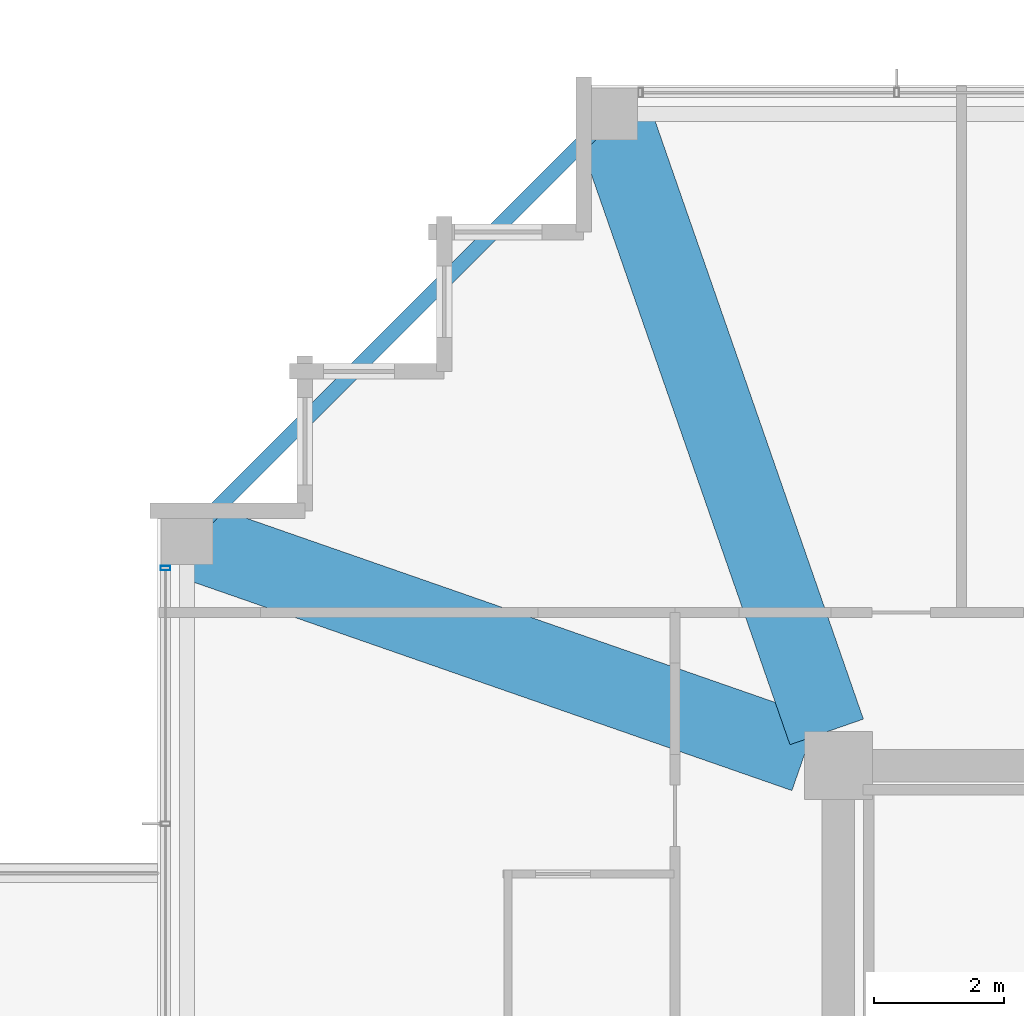
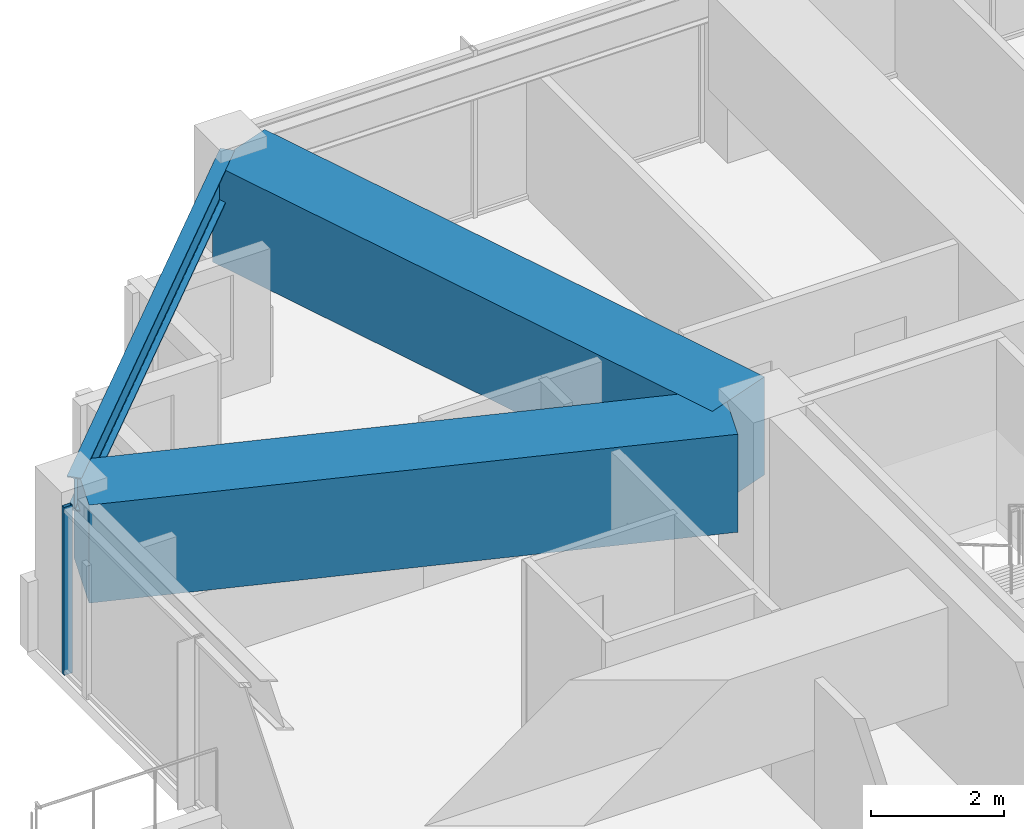
# One storey, part 17 of 35: 3 beams, 1 member, 1 element without a shape of its own.
"""IFC4 building model written with IfcOpenShell, lengths in metres."""

import ifcopenshell
import ifcopenshell.guid

model = None  # the IFC model being written
_history = None  # IfcOwnerHistory: only IFC2X3 demands one
_inside = {}  # id of a spatial element -> (the spatial element, [elements in it])
_under = {}  # id of a project, library or spatial element -> (it, [spatial elements below it])
_declared = {}  # id of a project -> (the project, [libraries it declares])
_typed = {}  # id of a type object -> (the type object, [elements of that type])
_made_of = {}  # id of a material, layer set ... -> (it, [elements and type objects made of it])


def new_model(schema):
    """Start an empty IFC model of exactly this schema.

    Asked for "IFC4X3", IfcOpenShell would pick the latest addendum, in which some entities
    have other attributes; the version numbers below select the first issue.
    IFC2X3 requires an IfcOwnerHistory on every rooted entity: one is made here for all.
    """
    global model, _history
    if schema == "IFC4X3":
        model = ifcopenshell.file(schema_version=(4, 3, 0, 0))
    else:
        model = ifcopenshell.file(schema=schema)
    _inside.clear()
    _under.clear()
    _declared.clear()
    _typed.clear()
    _made_of.clear()
    _history = None
    if model.schema == "IFC2X3":
        org = make("IfcOrganization", Name="unknown")
        user = make(
            "IfcPersonAndOrganization",
            ThePerson=make("IfcPerson", FamilyName="unknown"),
            TheOrganization=org,
        )
        app = make(
            "IfcApplication",
            ApplicationDeveloper=org,
            Version="unknown",
            ApplicationFullName="unknown",
            ApplicationIdentifier="unknown",
        )
        _history = make(
            "IfcOwnerHistory",
            OwningUser=user,
            OwningApplication=app,
            ChangeAction="ADDED",
            CreationDate=0,
        )
    return model


def make(cls, **values):
    """One entity of the class cls with the attributes given. An attribute that is None is left unset."""
    return model.create_entity(
        cls, **{name: value for name, value in values.items() if value is not None}
    )


def rooted(cls, **values):
    """An entity with a GlobalId (a new one), such as an element, a storey or a relation."""
    return make(cls, GlobalId=ifcopenshell.guid.new(), OwnerHistory=_history, **values)


def si_unit(unit_type, name, prefix=None):
    """IfcSIUnit, for example si_unit("LENGTHUNIT", "METRE", prefix="MILLI")."""
    return make("IfcSIUnit", UnitType=unit_type, Prefix=prefix, Name=name)


def assignment(units):
    """IfcUnitAssignment: the units of a project."""
    return None if units is None else make("IfcUnitAssignment", Units=units)


def point(xyz):
    """IfcCartesianPoint."""
    return None if xyz is None else make("IfcCartesianPoint", Coordinates=xyz)


def direction(xyz):
    """IfcDirection."""
    return None if xyz is None else make("IfcDirection", DirectionRatios=xyz)


def frame(location, z_axis=None, x_axis=None):
    """IfcAxis2Placement3D, a coordinate frame: its origin and axes. An axis left out is left unset."""
    return make(
        "IfcAxis2Placement3D",
        Location=point(location),
        Axis=direction(z_axis),
        RefDirection=direction(x_axis),
    )


def frame_2d(location, x_axis=None):
    """IfcAxis2Placement2D, a coordinate frame in the plane: its origin and x axis."""
    return make(
        "IfcAxis2Placement2D", Location=point(location), RefDirection=direction(x_axis)
    )


def origin():
    """The frame at (0, 0, 0) with its axes left unset."""
    return frame((0.0, 0.0, 0.0))


def origin_2d():
    """The frame at (0, 0) in the plane with its x axis left unset."""
    return frame_2d((0.0, 0.0))


def place(relative_to, where):
    """IfcLocalPlacement: puts the frame where relative to a parent placement (None: the world)."""
    return make(
        "IfcLocalPlacement", PlacementRelTo=relative_to, RelativePlacement=where
    )


def context(
    kind, dimensions, precision=None, world=None, true_north=None, identifier=None
):
    """IfcGeometricRepresentationContext, for example the 3D "Model" context."""
    return make(
        "IfcGeometricRepresentationContext",
        ContextIdentifier=identifier,
        ContextType=kind,
        CoordinateSpaceDimension=dimensions,
        Precision=precision,
        WorldCoordinateSystem=world,
        TrueNorth=true_north,
    )


def subcontext(parent, identifier, kind, view, scale=None):
    """IfcGeometricRepresentationSubContext, for example "Body" below "Model"."""
    return make(
        "IfcGeometricRepresentationSubContext",
        ContextIdentifier=identifier,
        ContextType=kind,
        ParentContext=parent,
        TargetScale=scale,
        TargetView=view,
    )


def project(units=None, contexts=None):
    """IfcProject with its units and contexts."""
    return rooted(
        "IfcProject",
        Name="project",
        RepresentationContexts=contexts,
        UnitsInContext=assignment(units),
    )


def spatial(cls, under=None, at=None, **own):
    """A site, building, storey or space (cls), placed at a placement, below another one or the project."""
    s = rooted(cls, ObjectPlacement=at, **own)
    if under is not None:
        _under.setdefault(under.id(), (under, []))[1].append(s)
    return s


def profile(cls, at=None, kind="AREA", **sizes):
    """A parametric profile (cls). Its sizes go by their IFC names, for example OverallWidth=200.0."""
    return make(cls, ProfileType=kind, Position=at, **sizes)


def rectangle(**sizes):
    """IfcRectangleProfileDef."""
    return profile("IfcRectangleProfileDef", **sizes)


def hollow_rectangle(**sizes):
    """IfcRectangleHollowProfileDef."""
    return profile("IfcRectangleHollowProfileDef", **sizes)


def i_section(**sizes):
    """IfcIShapeProfileDef."""
    return profile("IfcIShapeProfileDef", **sizes)


def extrude(swept, where, along, depth):
    """IfcExtrudedAreaSolid: the profile swept, set in the frame where, extruded along a direction by depth."""
    return make(
        "IfcExtrudedAreaSolid",
        SweptArea=swept,
        Position=where,
        ExtrudedDirection=direction(along),
        Depth=depth,
    )


def shape(context_of_items, identifier, shape_type, items):
    """IfcShapeRepresentation: the items that make up one representation, for example the "Body"."""
    return make(
        "IfcShapeRepresentation",
        ContextOfItems=context_of_items,
        RepresentationIdentifier=identifier,
        RepresentationType=shape_type,
        Items=items,
    )


def material(Name=None, Category=None):
    """IfcMaterial."""
    return make("IfcMaterial", Name=Name, Category=Category)


def material_profile(
    of_material, cross_section, Name=None, Category=None, Priority=None
):
    """IfcMaterialProfile: a cross section and its material."""
    return make(
        "IfcMaterialProfile",
        Name=Name,
        Material=of_material,
        Profile=cross_section,
        Priority=Priority,
        Category=Category,
    )


def profile_set(profiles, Name=None, composite=None):
    """IfcMaterialProfileSet."""
    return make(
        "IfcMaterialProfileSet",
        Name=Name,
        MaterialProfiles=profiles,
        CompositeProfile=composite,
    )


def made_of(thing, what):
    """Note that an element or type object is made of a material, layer set ...; save() writes the relation."""
    if what is not None:
        _made_of.setdefault(what.id(), (what, []))[1].append(thing)
    return thing


def type_object(cls, material=None, **own):
    """A type object (cls), such as IfcWallType, which elements share."""
    return made_of(rooted(cls, **own), material)


def element(
    cls,
    number,
    at=None,
    inside=None,
    cuts=None,
    type_object=None,
    material=None,
    context=None,
    identifier="Body",
    shape_type=None,
    held_by="IfcProductDefinitionShape",
    body=None,
    shapes=None,
    **own,
):
    """One element of the class cls, such as IfcWall. Its Tag is "e" and its number.

    at: its placement. inside: the storey or other place that contains it. cuts: it is an
    opening in that element (IfcRelVoidsElement). A single representation is given by context,
    identifier, shape_type and body (its items); several are given by shapes. held_by: the class
    of the entity that holds the representations. save() writes the other relations.
    """
    e = rooted(cls, Tag="e%d" % number, ObjectPlacement=at, **own)
    if body is not None:
        shapes = [shape(context, identifier, shape_type, body)]
    if shapes is not None:
        e.Representation = make(held_by, Representations=shapes)
    if inside is not None:
        _inside.setdefault(inside.id(), (inside, []))[1].append(e)
    if cuts is not None:
        rooted(
            "IfcRelVoidsElement", RelatingBuildingElement=cuts, RelatedOpeningElement=e
        )
    if type_object is not None:
        _typed.setdefault(type_object.id(), (type_object, []))[1].append(e)
    return made_of(e, material)


def aggregate(whole, parts):
    """IfcRelAggregates: a whole, such as a stair, and the parts it consists of."""
    return rooted("IfcRelAggregates", RelatingObject=whole, RelatedObjects=parts)


def save(model, path):
    """Write the relations noted so far, then the file.

    IfcRelAggregates (storeys below a building ...), IfcRelContainedInSpatialStructure (elements
    in a storey), IfcRelDefinesByType, IfcRelAssociatesMaterial and IfcRelDeclares: one each for
    every whole, place, type object, material and project.
    """
    for whole, parts in _under.values():
        aggregate(whole, parts)
    for where, things in _inside.values():
        rooted(
            "IfcRelContainedInSpatialStructure",
            RelatedElements=things,
            RelatingStructure=where,
        )
    for kind, things in _typed.values():
        rooted("IfcRelDefinesByType", RelatedObjects=things, RelatingType=kind)
    for what, things in _made_of.values():
        rooted("IfcRelAssociatesMaterial", RelatedObjects=things, RelatingMaterial=what)
    for by, libraries in _declared.values():
        rooted("IfcRelDeclares", RelatingContext=by, RelatedDefinitions=libraries)
    model.write(path)


model = new_model("IFC4")

# Units and contexts
model_context = context("Model", 3, precision=1e-05, world=origin(), true_north=direction((0.0, 1.0)))
body_context = subcontext(model_context, "Body", "Model", "MODEL_VIEW")
ifc_project = project(units=[si_unit("LENGTHUNIT", "METRE"), si_unit("AREAUNIT", "SQUARE_METRE"), si_unit("VOLUMEUNIT", "CUBIC_METRE"), si_unit("PLANEANGLEUNIT", "RADIAN"), si_unit("MASSUNIT", "GRAM", prefix="KILO")], contexts=[model_context])

# Site, building, storey
site_placement = place(None, origin())
site = spatial("IfcSite", under=ifc_project, at=site_placement, CompositionType="ELEMENT")
building_placement = place(site_placement, origin())
building = spatial("IfcBuilding", under=site, at=building_placement, Name="Kolvaren Belvedere", CompositionType="ELEMENT")
storey_placement = place(building_placement, frame((0.0, 0.0, 203.10009765625)))
storey = spatial("IfcBuildingStorey", under=building, at=storey_placement, Name="L59", CompositionType="ELEMENT", Elevation=203.10009765625)

# Beams
ifc_material_1 = material(Name="Structural steel ASTM A992 Grade 50", Category="steel")
ifc_material_profile_1 = material_profile(ifc_material_1, i_section(OverallWidth=0.22900390625, OverallDepth=0.612060546875, WebThickness=0.011962890625, FlangeThickness=0.01953125, FilletRadius=0.01806640625, at=origin_2d()), Name="W24X84")
ifc_profile_set_1 = profile_set([ifc_material_profile_1], Name="Structural steel ASTM A992 Grade 50")
beam_type_1 = type_object("IfcBeamType", Name="BM-SPAN-W24X84", PredefinedType="SPANDREL", material=ifc_profile_set_1)
beam_placement = place(storey_placement, frame((-13.52734375, 19.82275390625, 2.77392578125), z_axis=(-0.707106781187, -0.707106781187, 0.0), x_axis=(0.707106781187, -0.707106781187, 0.0)))
element("IfcBeam", 1, at=beam_placement, inside=storey, type_object=beam_type_1, Name="L59 Perimeter Spandrel N1-W4", PredefinedType="SPANDREL", context=body_context, shape_type="SweptSolid", body=[
    extrude(i_section(OverallWidth=0.22900390625, OverallDepth=0.612060546875, WebThickness=0.011962890625, FlangeThickness=0.01953125, FilletRadius=0.01806640625, at=origin_2d()), origin(), (0.0, 0.0, 1.0), 8.903076171875),
])
ifc_material_2 = material(Name="Concrete C50/60", Category="concrete")
ifc_material_profile_2 = material_profile(ifc_material_2, rectangle(XDim=1.199951171875, YDim=1.800048828125, at=origin_2d()), Name="RC 1200X1800")
ifc_profile_set_2 = profile_set([ifc_material_profile_2], Name="Concrete C50/60")
beam_type_2 = type_object("IfcBeamType", Name="BM-TG-1800", PredefinedType="BEAM", material=ifc_profile_set_2)
for number, where, z_axis, x_axis, name in (
    (2, (-10.080810546875, 10.41943359375, 2.179931640625), (-0.328898147971, 0.944365399758, 0.0), (-0.944365399758, -0.328898147971, 0.0), "L59 Corner Core-to-Perimeter Girder CC4-N1"),
    (3, (-10.41943359375, 10.080810546875, 2.179931640625), (-0.944365399758, 0.328898147971, 0.0), (-0.328898147971, -0.944365399758, 0.0), "L59 Corner Core-to-Perimeter Girder CC4-W4"),
):
    element("IfcBeam", number, at=place(storey_placement, frame(where, z_axis=z_axis, x_axis=x_axis)), inside=storey, type_object=beam_type_2, Name=name, PredefinedType="BEAM", context=body_context, shape_type="SweptSolid", body=[
        extrude(rectangle(XDim=1.199951171875, YDim=1.800048828125, at=origin_2d()), origin(), (0.0, 0.0, 1.0), 9.931884765625),
    ])

# Curtain wall, member
ifc_material_3 = material(Name="Anodised pale-metal aluminium AA 6063-T6", Category="aluminium")
curtain_wall_type = type_object("IfcCurtainWallType", Name="CW-Z5-HIGH", PredefinedType="NOTDEFINED", material=ifc_material_3)
curtain_wall_placement = place(storey_placement, origin())
curtain_wall = element("IfcCurtainWall", 4, at=curtain_wall_placement, inside=storey, type_object=curtain_wall_type, Name="L59 Unitised Curtain Wall FCW-L59-W2-B2", PredefinedType="NOTDEFINED")
ifc_material_4 = material(Name="Anodised pale-metal aluminium AA 6063-T6", Category="aluminium")
ifc_material_profile_3 = material_profile(ifc_material_4, hollow_rectangle(XDim=0.070068359375, YDim=0.14990234375, WallThickness=0.004150390625, at=origin_2d()), Name="ALU-MUL-150X70")
ifc_profile_set_3 = profile_set([ifc_material_profile_3], Name="Anodised pale-metal aluminium AA 6063-T6")
member_type = type_object("IfcMemberType", Name="CW-MUL-150", PredefinedType="MULLION", material=ifc_profile_set_3)
member_placement = place(storey_placement, frame((-20.280029296875, 12.945068359375, 0.0), z_axis=(0.0, 0.0, 1.0), x_axis=(0.0, 1.0, 0.0)))
member = element("IfcMember", 5, at=member_placement, type_object=member_type, Name="FCW-L59-W2-B2 Unitised Mullion 3", PredefinedType="MULLION", context=body_context, shape_type="SweptSolid", body=[
    extrude(hollow_rectangle(XDim=0.070068359375, YDim=0.14990234375, WallThickness=0.004150390625, at=origin_2d()), origin(), (0.0, 0.0, 1.0), 3.079833984375),
])
aggregate(curtain_wall, [member])

save(model, "model.ifc")
